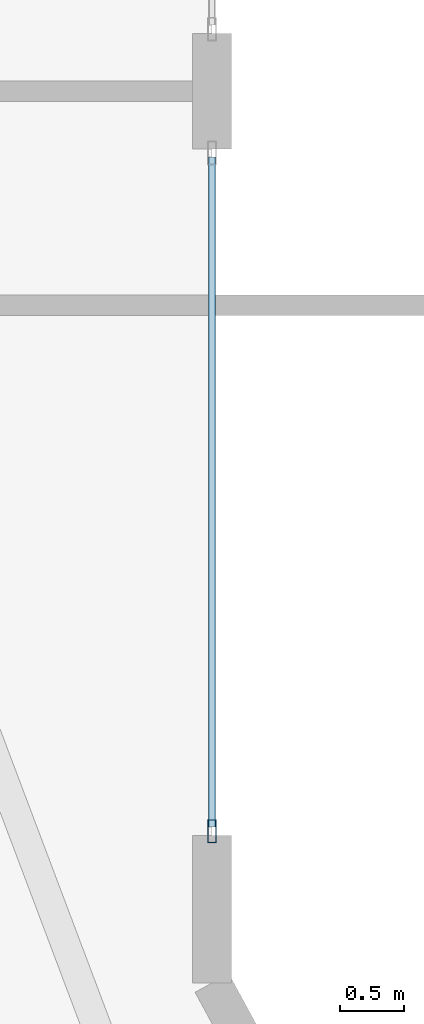
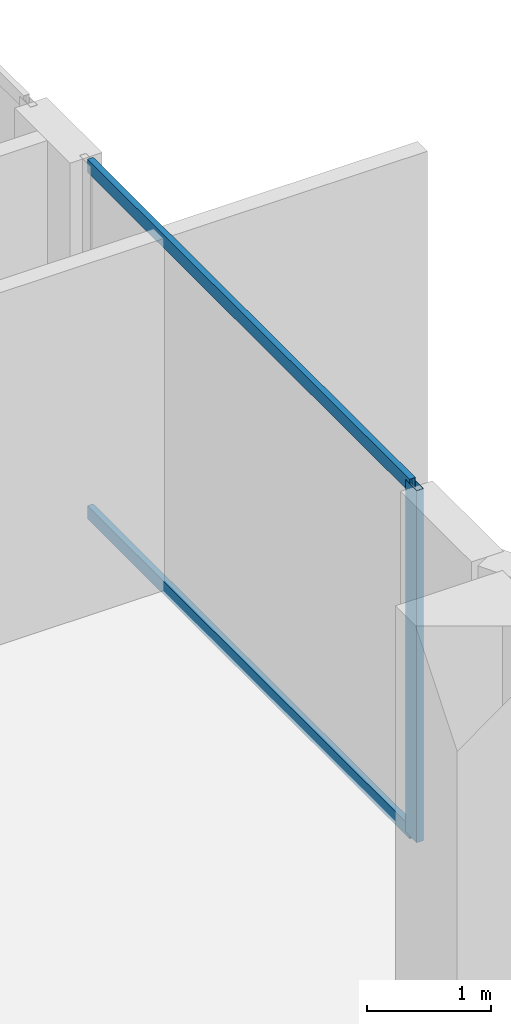
# One storey, part 11 of 25: 3 members, 1 element without a shape of its own.
"""IFC4 building model written with IfcOpenShell, lengths in metres."""

from ifc_helpers import new_model, si_unit, direction, frame, origin, origin_2d, place, context, subcontext, project, spatial, hollow_rectangle, extrude, material, layer, layer_set, material_profile, profile_set, type_object, element, aggregate, save


model = new_model("IFC4")

# Units and contexts
model_context = context("Model", 3, precision=1e-05, world=origin(), true_north=direction((0.0, 1.0)))
body_context = subcontext(model_context, "Body", "Model", "MODEL_VIEW")
ifc_project = project(units=[si_unit("LENGTHUNIT", "METRE"), si_unit("AREAUNIT", "SQUARE_METRE"), si_unit("VOLUMEUNIT", "CUBIC_METRE"), si_unit("PLANEANGLEUNIT", "RADIAN"), si_unit("MASSUNIT", "GRAM", prefix="KILO")], contexts=[model_context])

# Site, building, storey
site_placement = place(None, origin())
site = spatial("IfcSite", under=ifc_project, at=site_placement, CompositionType="ELEMENT")
building_placement = place(site_placement, origin())
building = spatial("IfcBuilding", under=site, at=building_placement, Name="Zuhayl Quay Hotel", CompositionType="ELEMENT")
storey_placement = place(building_placement, frame((0.0, 0.0, 243.35009765625)))
storey = spatial("IfcBuildingStorey", under=building, at=storey_placement, Name="L61", CompositionType="ELEMENT", Elevation=243.35009765625)

# Curtain wall, members
ifc_material_1 = material(Name="Anodised Aluminium 6063-T6", Category="aluminium")
ifc_layer = layer(ifc_material_1, 0.169921875, Name="Anodised Aluminium 6063-T6", Category="aluminium")
ifc_layer_set = layer_set([ifc_layer], Name="Anodised Aluminium 6063-T6")
curtain_wall_type = type_object("IfcCurtainWallType", Name="CW_SYS_Z4", PredefinedType="USERDEFINED", material=ifc_layer_set)
curtain_wall_placement = place(storey_placement, origin())
curtain_wall = element("IfcCurtainWall", 1, at=curtain_wall_placement, inside=storey, type_object=curtain_wall_type, Name="L61 Curtain Wall ENV_L61_E11_CW2", ObjectType="UNITISED CURTAIN WALL", PredefinedType="USERDEFINED")
ifc_material_2 = material(Name="Black-anodised aluminium 6063-T6", Category="aluminium")
ifc_material_profile_1 = material_profile(ifc_material_2, hollow_rectangle(XDim=0.06494140625, YDim=0.179931640625, WallThickness=0.00341796875, at=origin_2d()), Name="ALU180X65")
ifc_profile_set_1 = profile_set([ifc_material_profile_1], Name="Black-anodised aluminium 6063-T6")
member_type_1 = type_object("IfcMemberType", Name="MB_CW_MUL_180", PredefinedType="MULLION", material=ifc_profile_set_1)
member_1_placement = place(storey_placement, frame((20.199951171875, 25.282470703125, 0.0), z_axis=(0.0, 0.0, 1.0), x_axis=(1.0, 0.0, 0.0)))
member_1 = element("IfcMember", 2, at=member_1_placement, type_object=member_type_1, Name="CW-Z4 mullion 2", PredefinedType="MULLION", context=body_context, shape_type="SweptSolid", body=[
    extrude(hollow_rectangle(XDim=0.06494140625, YDim=0.179931640625, WallThickness=0.00341796875, at=origin_2d()), origin(), (0.0, 0.0, 1.0), 3.47998046875),
])
ifc_material_profile_2 = material_profile(ifc_material_2, hollow_rectangle(XDim=0.054931640625, YDim=0.1298828125, WallThickness=0.0029296875, at=origin_2d()), Name="ALU130X55")
ifc_profile_set_2 = profile_set([ifc_material_profile_2], Name="Black-anodised aluminium 6063-T6")
member_type_2 = type_object("IfcMemberType", Name="MB_CW_TRN_130", PredefinedType="USERDEFINED", material=ifc_profile_set_2)
member_2_placement = place(storey_placement, frame((20.199951171875, 30.534912109375, 0.02734375), z_axis=(0.0, -1.0, 0.0), x_axis=(1.0, 0.0, 0.0)))
member_2 = element("IfcMember", 3, at=member_2_placement, type_object=member_type_2, Name="CW-Z4 transom 1.1", ObjectType="TRANSOM", PredefinedType="USERDEFINED", context=body_context, shape_type="SweptSolid", body=[
    extrude(hollow_rectangle(XDim=0.054931640625, YDim=0.1298828125, WallThickness=0.0029296875, at=origin_2d()), origin(), (0.0, 0.0, 1.0), 5.219970703125),
])
member_3_placement = place(storey_placement, frame((20.199951171875, 30.534912109375, 3.452392578125), z_axis=(0.0, -1.0, 0.0), x_axis=(1.0, 0.0, 0.0)))
member_3 = element("IfcMember", 4, at=member_3_placement, type_object=member_type_2, Name="CW-Z4 transom 1.2", ObjectType="TRANSOM", PredefinedType="USERDEFINED", context=body_context, shape_type="SweptSolid", body=[
    extrude(hollow_rectangle(XDim=0.054931640625, YDim=0.1298828125, WallThickness=0.0029296875, at=origin_2d()), origin(), (0.0, 0.0, 1.0), 5.219970703125),
])
aggregate(curtain_wall, [member_1, member_2, member_3])

save(model, "model.ifc")
